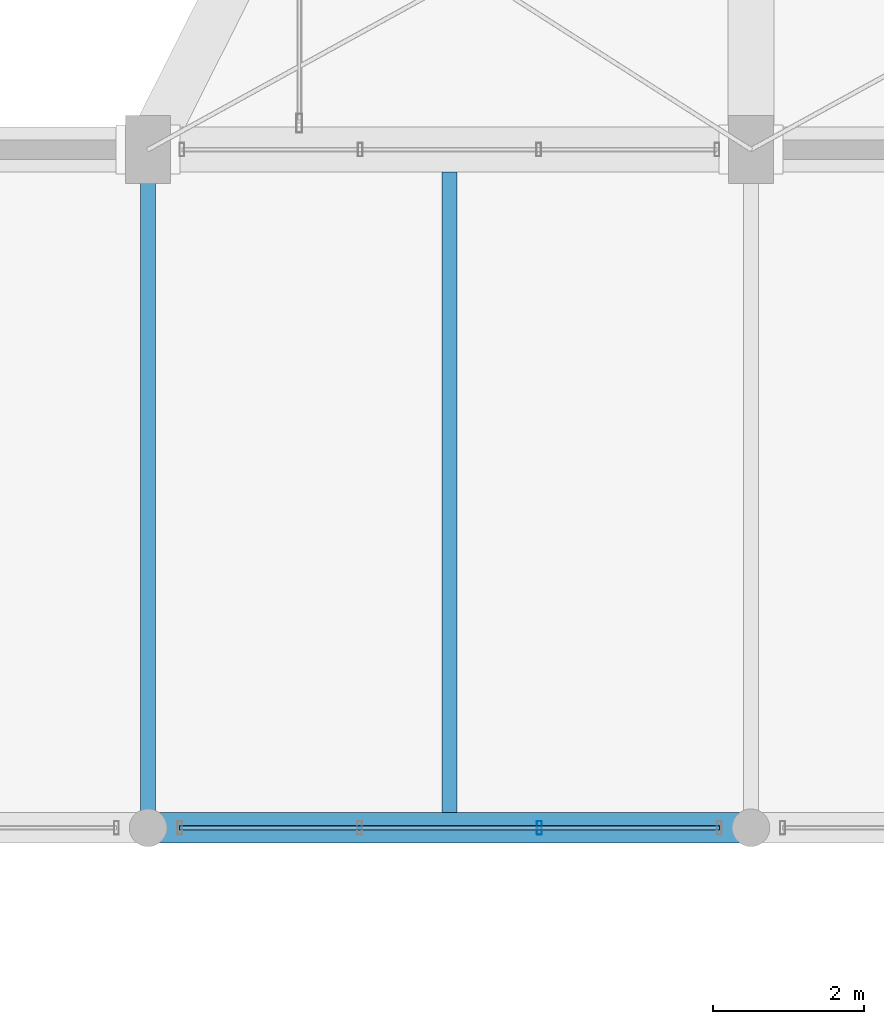
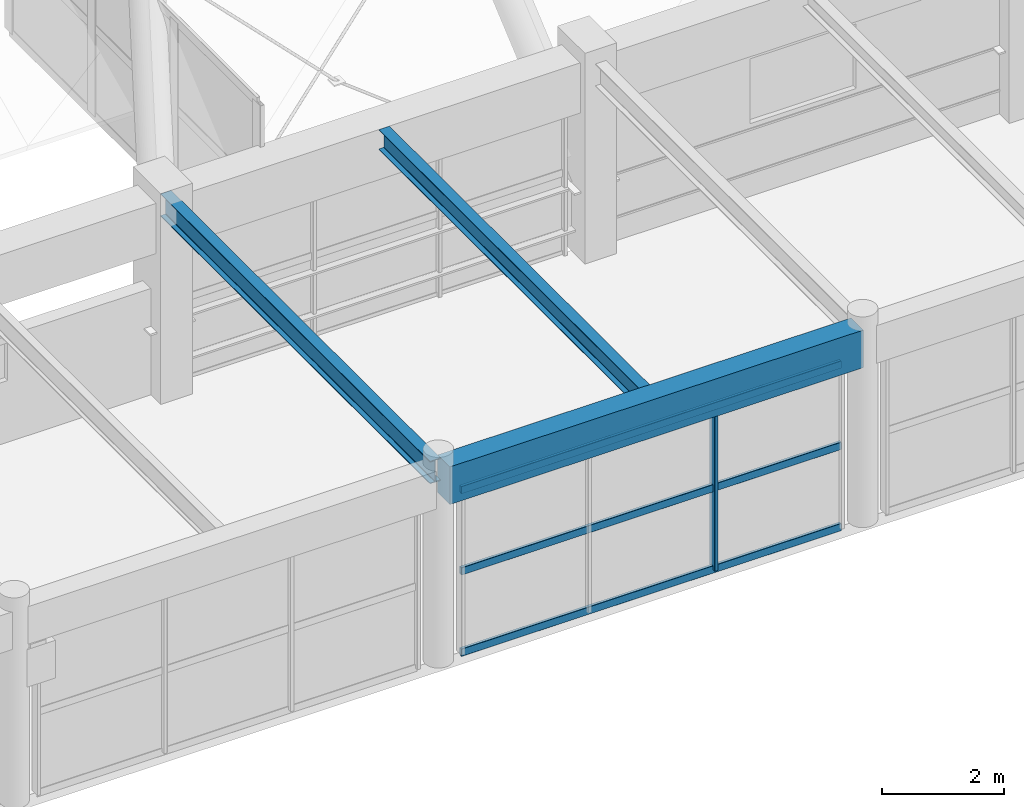
# One storey, part 26 of 126: 4 members, 3 beams, 1 element without a shape of its own.
"""IFC4 building model written with IfcOpenShell, lengths in metres."""

from ifc_helpers import new_model, si_unit, direction, frame, origin, origin_2d, place, context, subcontext, project, spatial, rectangle, hollow_rectangle, i_section, extrude, material, material_profile, profile_set, type_object, element, aggregate, save


model = new_model("IFC4")

# Units and contexts
model_context = context("Model", 3, precision=1e-05, world=origin(), true_north=direction((0.0, 1.0)))
body_context = subcontext(model_context, "Body", "Model", "MODEL_VIEW")
ifc_project = project(units=[si_unit("LENGTHUNIT", "METRE"), si_unit("AREAUNIT", "SQUARE_METRE"), si_unit("VOLUMEUNIT", "CUBIC_METRE"), si_unit("PLANEANGLEUNIT", "RADIAN"), si_unit("MASSUNIT", "GRAM", prefix="KILO")], contexts=[model_context])

# Site, building, storey
site_placement = place(None, origin())
site = spatial("IfcSite", under=ifc_project, at=site_placement, CompositionType="ELEMENT")
building_placement = place(site_placement, origin())
building = spatial("IfcBuilding", under=site, at=building_placement, Name="Varnabhumi Central Station", CompositionType="ELEMENT")
storey_placement = place(building_placement, frame((0.0, 0.0, 16.199951171875)))
storey = spatial("IfcBuildingStorey", under=building, at=storey_placement, Name="L03", CompositionType="ELEMENT", Elevation=16.199951171875)

# Beams
ifc_material_1 = material(Name="Concrete M40", Category="concrete")
ifc_material_profile_1 = material_profile(ifc_material_1, rectangle(XDim=0.39990234375, YDim=0.75, at=origin_2d()), Name="Concrete M40", Category="concrete")
ifc_profile_set_1 = profile_set([ifc_material_profile_1], Name="Concrete M40")
beam_type_1 = type_object("IfcBeamType", Name="BM-RC-400x750", PredefinedType="BEAM", material=ifc_profile_set_1)
beam_1_placement = place(storey_placement, frame((128.10009765625, 27.0, 3.545166015625), z_axis=(1.0, 0.0, 0.0), x_axis=(0.0, 1.0, 0.0)))
element("IfcBeam", 1, at=beam_1_placement, inside=storey, type_object=beam_type_1, Name="Beam L03-D:17-18", PredefinedType="BEAM", context=body_context, shape_type="SweptSolid", body=[
    extrude(rectangle(XDim=0.39990234375, YDim=0.75, at=origin_2d()), origin(), (0.0, 0.0, 1.0), 7.7998046875),
])
ifc_material_2 = material(Name="Structural steel E350", Category="steel")
ifc_material_profile_2 = material_profile(ifc_material_2, i_section(OverallWidth=0.199951171875, OverallDepth=0.39990234375, WebThickness=0.008544921875, FlangeThickness=0.012939453125, FilletRadius=0.012939453125, at=origin_2d()), Name="Structural steel E350", Category="steel")
ifc_profile_set_2 = profile_set([ifc_material_profile_2], Name="Structural steel E350")
beam_type_2 = type_object("IfcBeamType", Name="BM-SEC-ISWB400", PredefinedType="JOIST", material=ifc_profile_set_2)
beam_2_placement = place(storey_placement, frame((132.0, 27.199951171875, 3.719970703125), z_axis=(0.0, 1.0, 0.0), x_axis=(-1.0, 0.0, 0.0)))
element("IfcBeam", 2, at=beam_2_placement, inside=storey, type_object=beam_type_2, Name="Secondary Joist L03-17/18:D-E", PredefinedType="JOIST", context=body_context, shape_type="SweptSolid", body=[
    extrude(i_section(OverallWidth=0.199951171875, OverallDepth=0.39990234375, WebThickness=0.008544921875, FlangeThickness=0.012939453125, FilletRadius=0.012939453125, at=origin_2d()), origin(), (0.0, 0.0, 1.0), 8.5),
])
ifc_material_profile_3 = material_profile(ifc_material_2, i_section(OverallWidth=0.199951171875, OverallDepth=0.449951171875, WebThickness=0.00927734375, FlangeThickness=0.015380859375, FilletRadius=0.013916015625, at=origin_2d()), Name="Structural steel E350", Category="steel")
ifc_profile_set_3 = profile_set([ifc_material_profile_3], Name="Structural steel E350")
beam_type_3 = type_object("IfcBeamType", Name="BM-STL-ISWB450", PredefinedType="BEAM", material=ifc_profile_set_3)
beam_3_placement = place(storey_placement, frame((128.0, 27.10009765625, 3.695068359375), z_axis=(0.0, 1.0, 0.0), x_axis=(-1.0, 0.0, 0.0)))
element("IfcBeam", 3, at=beam_3_placement, inside=storey, type_object=beam_type_3, Name="Beam L03-17:D-E", PredefinedType="BEAM", context=body_context, shape_type="SweptSolid", body=[
    extrude(i_section(OverallWidth=0.199951171875, OverallDepth=0.449951171875, WebThickness=0.00927734375, FlangeThickness=0.015380859375, FilletRadius=0.013916015625, at=origin_2d()), origin(), (0.0, 0.0, 1.0), 8.7998046875),
])

# Curtain wall, members
ifc_material_3 = material(Name="Anodised aluminium 6063-T6", Category="aluminium")
curtain_wall_type = type_object("IfcCurtainWallType", Name="CW-PATIO-LOGGIA-L3", PredefinedType="NOTDEFINED", material=ifc_material_3)
curtain_wall_placement = place(storey_placement, origin())
curtain_wall = element("IfcCurtainWall", 4, at=curtain_wall_placement, inside=storey, type_object=curtain_wall_type, Name="Curtain Wall CW-SP3N3", PredefinedType="NOTDEFINED")
ifc_material_profile_4 = material_profile(ifc_material_3, hollow_rectangle(XDim=0.06494140625, YDim=0.179931640625, WallThickness=0.00390625, InnerFilletRadius=0.001953125, OuterFilletRadius=0.006103515625, at=origin_2d()), Name="Anodised aluminium 6063-T6", Category="aluminium")
ifc_profile_set_4 = profile_set([ifc_material_profile_4], Name="Anodised aluminium 6063-T6")
member_type_1 = type_object("IfcMemberType", Name="CW-MUL-180", PredefinedType="MULLION", material=ifc_profile_set_4)
member_1_placement = place(storey_placement, frame((133.193359375, 27.0, 0.0), z_axis=(0.0, 0.0, 1.0), x_axis=(1.0, 0.0, 0.0)))
member_1 = element("IfcMember", 5, at=member_1_placement, type_object=member_type_1, Name="Curtain Wall Mullion CW-SP3N3-M3", PredefinedType="MULLION", context=body_context, shape_type="SweptSolid", body=[
    extrude(hollow_rectangle(XDim=0.06494140625, YDim=0.179931640625, WallThickness=0.00390625, InnerFilletRadius=0.001953125, OuterFilletRadius=0.006103515625, at=origin_2d()), origin(), (0.0, 0.0, 1.0), 3.239990234375),
])
ifc_material_profile_5 = material_profile(ifc_material_3, hollow_rectangle(XDim=0.06005859375, YDim=0.14990234375, WallThickness=0.00390625, InnerFilletRadius=0.001953125, OuterFilletRadius=0.006103515625, at=origin_2d()), Name="Anodised aluminium 6063-T6", Category="aluminium")
ifc_profile_set_5 = profile_set([ifc_material_profile_5], Name="Anodised aluminium 6063-T6")
member_type_2 = type_object("IfcMemberType", Name="CW-TR-150", PredefinedType="USERDEFINED", material=ifc_profile_set_5)
member_2_placement = place(storey_placement, frame((128.419921875, 27.0, 0.0), z_axis=(1.0, 0.0, 0.0), x_axis=(0.0, 1.0, 0.0)))
member_2 = element("IfcMember", 6, at=member_2_placement, type_object=member_type_2, Name="Curtain Wall Transom CW-SP3N3-T1", ObjectType="TRANSOM", PredefinedType="USERDEFINED", context=body_context, shape_type="SweptSolid", body=[
    extrude(hollow_rectangle(XDim=0.06005859375, YDim=0.14990234375, WallThickness=0.00390625, InnerFilletRadius=0.001953125, OuterFilletRadius=0.006103515625, at=origin_2d()), origin(), (0.0, 0.0, 1.0), 7.16015625),
])
member_3_placement = place(storey_placement, frame((128.419921875, 27.0, 1.6201171875), z_axis=(1.0, 0.0, 0.0), x_axis=(0.0, 1.0, 0.0)))
member_3 = element("IfcMember", 7, at=member_3_placement, type_object=member_type_2, Name="Curtain Wall Transom CW-SP3N3-T2", ObjectType="TRANSOM", PredefinedType="USERDEFINED", context=body_context, shape_type="SweptSolid", body=[
    extrude(hollow_rectangle(XDim=0.06005859375, YDim=0.14990234375, WallThickness=0.00390625, InnerFilletRadius=0.001953125, OuterFilletRadius=0.006103515625, at=origin_2d()), origin(), (0.0, 0.0, 1.0), 7.16015625),
])
member_4_placement = place(storey_placement, frame((128.419921875, 27.0, 3.239990234375), z_axis=(1.0, 0.0, 0.0), x_axis=(0.0, 1.0, 0.0)))
member_4 = element("IfcMember", 8, at=member_4_placement, type_object=member_type_2, Name="Curtain Wall Transom CW-SP3N3-T3", ObjectType="TRANSOM", PredefinedType="USERDEFINED", context=body_context, shape_type="SweptSolid", body=[
    extrude(hollow_rectangle(XDim=0.06005859375, YDim=0.14990234375, WallThickness=0.00390625, InnerFilletRadius=0.001953125, OuterFilletRadius=0.006103515625, at=origin_2d()), origin(), (0.0, 0.0, 1.0), 7.16015625),
])
aggregate(curtain_wall, [member_1, member_2, member_3, member_4])

save(model, "model.ifc")
